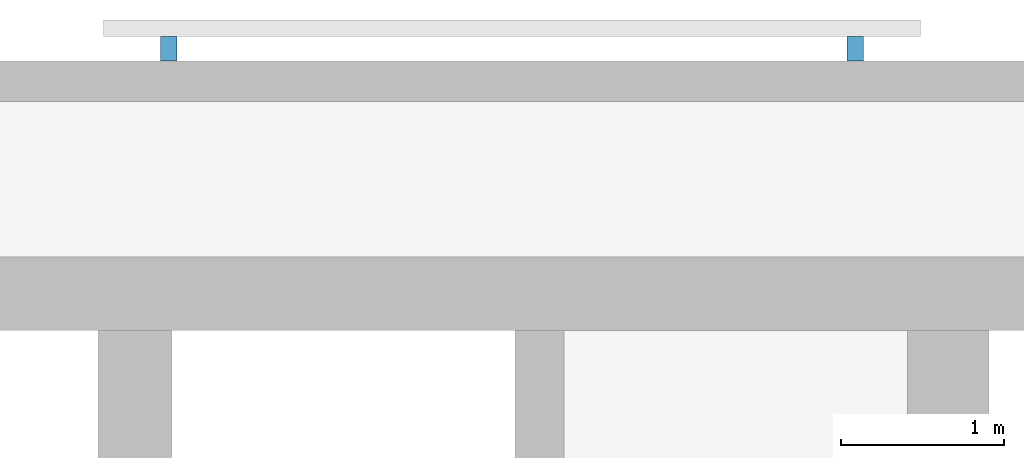
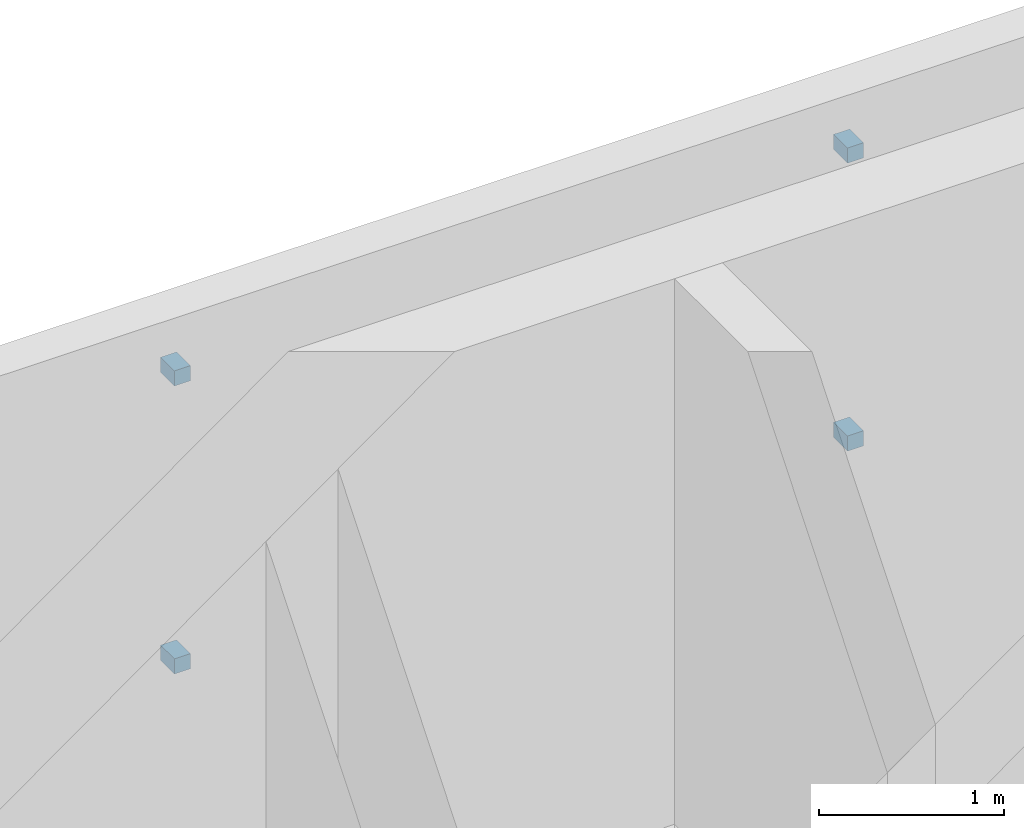
# One storey, part 11 of 14: 4 discrete accessories.
"""IFC4 building model written with IfcOpenShell, lengths in metres."""

from ifc_helpers import new_model, si_unit, direction, frame, origin, origin_2d, place, context, subcontext, project, spatial, rectangle, extrude, material, type_object, element, save


model = new_model("IFC4")

# Units and contexts
model_context = context("Model", 3, precision=1e-05, world=origin(), true_north=direction((0.0, 1.0)))
body_context = subcontext(model_context, "Body", "Model", "MODEL_VIEW")
ifc_project = project(units=[si_unit("LENGTHUNIT", "METRE"), si_unit("AREAUNIT", "SQUARE_METRE"), si_unit("VOLUMEUNIT", "CUBIC_METRE"), si_unit("PLANEANGLEUNIT", "RADIAN"), si_unit("MASSUNIT", "GRAM", prefix="KILO")], contexts=[model_context])

# Site, building, storey
site_placement = place(None, origin())
site = spatial("IfcSite", under=ifc_project, at=site_placement, CompositionType="ELEMENT")
building_placement = place(site_placement, origin())
building = spatial("IfcBuilding", under=site, at=building_placement, Name="Torana Hotel and Residences", CompositionType="ELEMENT")
storey_placement = place(building_placement, frame((0.0, 0.0, 103.199951171875)))
storey = spatial("IfcBuildingStorey", under=building, at=storey_placement, Name="L26", CompositionType="ELEMENT", Elevation=103.199951171875)

# Discrete accessories
ifc_material = material(Name="Steel S355", Category="steel")
discrete_accessory_type = type_object("IfcDiscreteAccessoryType", Name="SCREEN BRACKET 100", PredefinedType="BRACKET", material=ifc_material)
for number, where, z_axis, x_axis, name in (
    (1, (23.681396484375, 1.27490234375, 0.75), (0.0, 0.0, 1.0), (-1.0, 0.0, 0.0), "Screen bracket L26"),
    (2, (23.681396484375, 1.27490234375, 2.64990234375), (0.0, 0.0, 1.0), (-1.0, 0.0, 0.0), "Screen bracket L26"),
    (3, (19.4814453125, 1.27490234375, 0.75), (0.0, 0.0, 1.0), (-1.0, 0.0, 0.0), "Screen bracket L26"),
    (4, (19.4814453125, 1.27490234375, 2.64990234375), (0.0, 0.0, 1.0), (-1.0, 0.0, 0.0), "Screen bracket L26"),
):
    element("IfcDiscreteAccessory", number, at=place(storey_placement, frame(where, z_axis=z_axis, x_axis=x_axis)), inside=storey, type_object=discrete_accessory_type, Name=name, PredefinedType="BRACKET", context=body_context, shape_type="SweptSolid", body=[
        extrude(rectangle(XDim=0.10009765625, YDim=0.14990234375, at=origin_2d()), origin(), (0.0, 0.0, 1.0), 0.10009765625),
    ])

save(model, "model.ifc")
